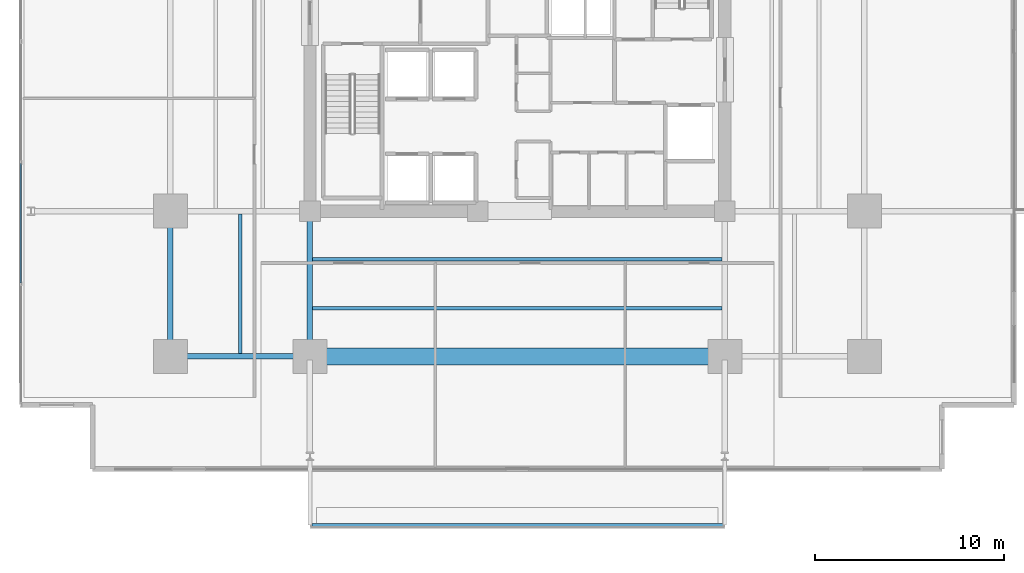
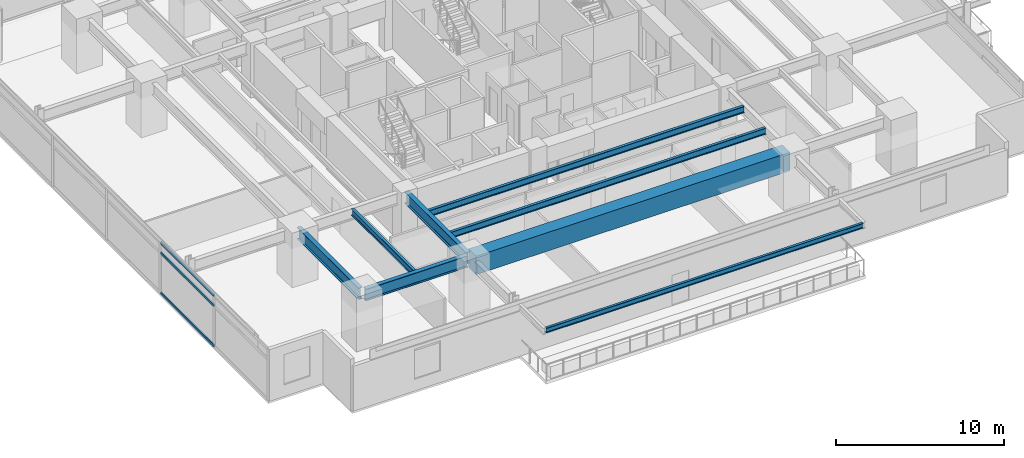
# One storey, part 3 of 21: 8 beams, 3 members, 1 element without a shape of its own.
"""IFC4 building model written with IfcOpenShell, lengths in metres."""

from ifc_helpers import new_model, si_unit, direction, frame, origin, origin_2d, place, context, subcontext, project, spatial, rectangle, hollow_rectangle, i_section, extrude, material, material_profile, profile_set, type_object, element, aggregate, save


model = new_model("IFC4")

# Units and contexts
model_context = context("Model", 3, precision=1e-05, world=origin(), true_north=direction((0.0, 1.0)))
body_context = subcontext(model_context, "Body", "Model", "MODEL_VIEW")
ifc_project = project(units=[si_unit("LENGTHUNIT", "METRE"), si_unit("AREAUNIT", "SQUARE_METRE"), si_unit("VOLUMEUNIT", "CUBIC_METRE"), si_unit("PLANEANGLEUNIT", "RADIAN"), si_unit("MASSUNIT", "GRAM", prefix="KILO")], contexts=[model_context])

# Site, building, storey
site_placement = place(None, origin())
site = spatial("IfcSite", under=ifc_project, at=site_placement, CompositionType="ELEMENT")
building_placement = place(site_placement, origin())
building = spatial("IfcBuilding", under=site, at=building_placement, Name="Kovane Verandah Tower", CompositionType="ELEMENT")
storey_placement = place(building_placement, frame((0.0, 0.0, 87.60009765625)))
storey = spatial("IfcBuildingStorey", under=building, at=storey_placement, Name="L20", CompositionType="ELEMENT", Elevation=87.60009765625)

# Beams
ifc_material_1 = material(Name="Concrete C80/95", Category="concrete")
ifc_material_profile_1 = material_profile(ifc_material_1, rectangle(XDim=0.89990234375, YDim=1.35009765625, at=origin_2d()), Name="RCB900x1350")
ifc_profile_set_1 = profile_set([ifc_material_profile_1], Name="Concrete C80/95")
beam_type_1 = type_object("IfcBeamType", Name="BM-TR-900x1350", PredefinedType="BEAM", material=ifc_profile_set_1)
beam_1_placement = place(storey_placement, frame((29.179931640625, 10.800048828125, 3.0849609375), z_axis=(1.0, 0.0, 0.0), x_axis=(0.0, 1.0, 0.0)))
element("IfcBeam", 1, at=beam_1_placement, inside=storey, type_object=beam_type_1, Name="L20 Primary Tower Girder G-RS2", PredefinedType="BEAM", context=body_context, shape_type="SweptSolid", body=[
    extrude(rectangle(XDim=0.89990234375, YDim=1.35009765625, at=origin_2d()), origin(), (0.0, 0.0, 1.0), 21.64013671875),
])
ifc_material_2 = material(Name="Steel S355", Category="steel")
ifc_material_profile_2 = material_profile(ifc_material_2, i_section(OverallWidth=0.293701171875, OverallDepth=0.850830078125, WebThickness=0.01611328125, FlangeThickness=0.02685546875, FilletRadius=0.017822265625, at=origin_2d()), Name="UB838x292x226")
ifc_profile_set_2 = profile_set([ifc_material_profile_2], Name="Steel S355")
beam_type_2 = type_object("IfcBeamType", Name="BM-UB838x226", PredefinedType="BEAM", material=ifc_profile_set_2)
beam_2_placement = place(storey_placement, frame((21.780029296875, 10.800048828125, 3.33447265625), z_axis=(1.0, 0.0, 0.0), x_axis=(0.0, 1.0, 0.0)))
element("IfcBeam", 2, at=beam_2_placement, inside=storey, type_object=beam_type_2, Name="L20 Primary Tower Girder G-RS1", PredefinedType="BEAM", context=body_context, shape_type="SweptSolid", body=[
    extrude(i_section(OverallWidth=0.293701171875, OverallDepth=0.850830078125, WebThickness=0.01611328125, FlangeThickness=0.02685546875, FilletRadius=0.017822265625, at=origin_2d()), origin(), (0.0, 0.0, 1.0), 7.0400390625),
])
for number, where, z_axis, x_axis, name in (
    (3, (21.60009765625, 10.97998046875, 3.33447265625), (0.0, 1.0, 0.0), (-1.0, 0.0, 0.0), "L20 Primary Tower Girder G-RW1"),
    (4, (29.0, 18.320068359375, 3.33447265625), (0.0, -1.0, 0.0), (1.0, 0.0, 0.0), "L20 Primary Tower Girder G-S1"),
):
    element("IfcBeam", number, at=place(storey_placement, frame(where, z_axis=z_axis, x_axis=x_axis)), inside=storey, type_object=beam_type_2, Name=name, PredefinedType="BEAM", context=body_context, shape_type="SweptSolid", body=[
        extrude(i_section(OverallWidth=0.293701171875, OverallDepth=0.850830078125, WebThickness=0.01611328125, FlangeThickness=0.02685546875, FilletRadius=0.017822265625, at=origin_2d()), origin(), (0.0, 0.0, 1.0), 7.340087890625),
    ])

# Curtain wall, members
ifc_material_3 = material(Name="Champagne Anodised Aluminium Frame with Low-E Clear Laminated Glass", Category="aluminium")
curtain_wall_type = type_object("IfcCurtainWallType", Name="CW-SYS-02-LOW", PredefinedType="NOTDEFINED", material=ifc_material_3)
curtain_wall_placement = place(storey_placement, origin())
curtain_wall = element("IfcCurtainWall", 5, at=curtain_wall_placement, inside=storey, type_object=curtain_wall_type, Name="L20 W Unitised Curtain Wall", PredefinedType="NOTDEFINED")
ifc_material_4 = material(Name="Champagne Anodised Aluminium 6063-T6", Category="aluminium")
ifc_material_profile_3 = material_profile(ifc_material_4, hollow_rectangle(XDim=0.0849609375, YDim=0.18994140625, WallThickness=0.00390625, at=origin_2d()), Name="AL85x190x4")
ifc_profile_set_3 = profile_set([ifc_material_profile_3], Name="Champagne Anodised Aluminium 6063-T6")
member_type = type_object("IfcMemberType", Name="CW-TRN-85x190", PredefinedType="USERDEFINED", material=ifc_profile_set_3)
member_1_placement = place(storey_placement, frame((13.670166015625, 21.0263671875, 0.0498046875), z_axis=(0.0, -1.0, 0.0), x_axis=(1.0, 0.0, 0.0)))
member_1 = element("IfcMember", 6, at=member_1_placement, type_object=member_type, Name="L20 W Unitised Curtain Wall Transom TB Bay 5", ObjectType="TRANSOM", PredefinedType="USERDEFINED", context=body_context, shape_type="SweptSolid", body=[
    extrude(hollow_rectangle(XDim=0.0849609375, YDim=0.18994140625, WallThickness=0.00390625, at=origin_2d()), origin(), (0.0, 0.0, 1.0), 6.32373046875),
])
member_2_placement = place(storey_placement, frame((13.670166015625, 21.0263671875, 2.97998046875), z_axis=(0.0, -1.0, 0.0), x_axis=(1.0, 0.0, 0.0)))
member_2 = element("IfcMember", 7, at=member_2_placement, type_object=member_type, Name="L20 W Unitised Curtain Wall Transom TM Bay 5", ObjectType="TRANSOM", PredefinedType="USERDEFINED", context=body_context, shape_type="SweptSolid", body=[
    extrude(hollow_rectangle(XDim=0.0849609375, YDim=0.18994140625, WallThickness=0.00390625, at=origin_2d()), origin(), (0.0, 0.0, 1.0), 6.32373046875),
])
member_3_placement = place(storey_placement, frame((13.670166015625, 21.0263671875, 3.7099609375), z_axis=(0.0, -1.0, 0.0), x_axis=(1.0, 0.0, 0.0)))
member_3 = element("IfcMember", 8, at=member_3_placement, type_object=member_type, Name="L20 W Unitised Curtain Wall Transom TT Bay 5", ObjectType="TRANSOM", PredefinedType="USERDEFINED", context=body_context, shape_type="SweptSolid", body=[
    extrude(hollow_rectangle(XDim=0.0849609375, YDim=0.18994140625, WallThickness=0.00390625, at=origin_2d()), origin(), (0.0, 0.0, 1.0), 6.32373046875),
])
aggregate(curtain_wall, [member_1, member_2, member_3])

# Beams
ifc_material_profile_4 = material_profile(ifc_material_2, i_section(OverallWidth=0.19287109375, OverallDepth=0.46728515625, WebThickness=0.011474609375, FlangeThickness=0.01953125, FilletRadius=0.01025390625, at=origin_2d()), Name="UB457x191x98")
ifc_profile_set_4 = profile_set([ifc_material_profile_4], Name="Steel S355")
beam_type_3 = type_object("IfcBeamType", Name="JST-UB457x98", PredefinedType="JOIST", material=ifc_profile_set_4)
for number, where, z_axis, x_axis, name in (
    (9, (29.14501953125, 13.35009765625, 3.5263671875), (1.0, 0.0, 0.0), (0.0, 1.0, 0.0), "L20 Secondary Composite Joist J-S1"),
    (10, (29.14501953125, 15.949951171875, 3.5263671875), (1.0, 0.0, 0.0), (0.0, 1.0, 0.0), "L20 Secondary Composite Joist J-S2"),
):
    element("IfcBeam", number, at=place(storey_placement, frame(where, z_axis=z_axis, x_axis=x_axis)), inside=storey, type_object=beam_type_3, Name=name, PredefinedType="JOIST", context=body_context, shape_type="SweptSolid", body=[
        extrude(i_section(OverallWidth=0.19287109375, OverallDepth=0.46728515625, WebThickness=0.011474609375, FlangeThickness=0.01953125, FilletRadius=0.01025390625, at=origin_2d()), origin(), (0.0, 0.0, 1.0), 21.7099609375),
    ])
beam_3_placement = place(storey_placement, frame((25.300048828125, 10.94482421875, 3.5263671875), z_axis=(0.0, 1.0, 0.0), x_axis=(-1.0, 0.0, 0.0)))
element("IfcBeam", 11, at=beam_3_placement, inside=storey, type_object=beam_type_3, Name="L20 Secondary Composite Joist J-SW1", PredefinedType="JOIST", context=body_context, shape_type="SweptSolid", body=[
    extrude(i_section(OverallWidth=0.19287109375, OverallDepth=0.46728515625, WebThickness=0.011474609375, FlangeThickness=0.01953125, FilletRadius=0.01025390625, at=origin_2d()), origin(), (0.0, 0.0, 1.0), 7.41015625),
])
ifc_material_profile_5 = material_profile(ifc_material_2, i_section(OverallWidth=0.173095703125, OverallDepth=0.36328125, WebThickness=0.009033203125, FlangeThickness=0.015625, FilletRadius=0.01025390625, at=origin_2d()), Name="UB356x171x67")
ifc_profile_set_5 = profile_set([ifc_material_profile_5], Name="Steel S355")
beam_type_4 = type_object("IfcBeamType", Name="SPD-UB356x67", PredefinedType="USERDEFINED", material=ifc_profile_set_5)
beam_4_placement = place(storey_placement, frame((29.094482421875, 1.85498046875, 3.578125), z_axis=(1.0, 0.0, 0.0), x_axis=(0.0, 1.0, 0.0)))
element("IfcBeam", 12, at=beam_4_placement, inside=storey, type_object=beam_type_4, Name="L20 South Planter Edge Spandrel", ObjectType="SPANDREL", PredefinedType="USERDEFINED", context=body_context, shape_type="SweptSolid", body=[
    extrude(i_section(OverallWidth=0.173095703125, OverallDepth=0.36328125, WebThickness=0.009033203125, FlangeThickness=0.015625, FilletRadius=0.01025390625, at=origin_2d()), origin(), (0.0, 0.0, 1.0), 21.81103515625),
])

save(model, "model.ifc")
